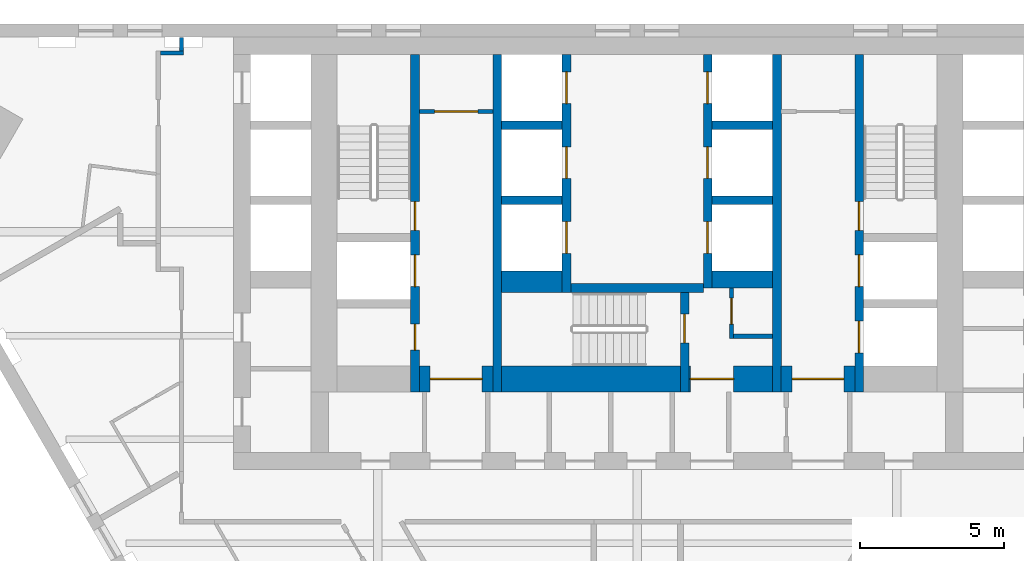
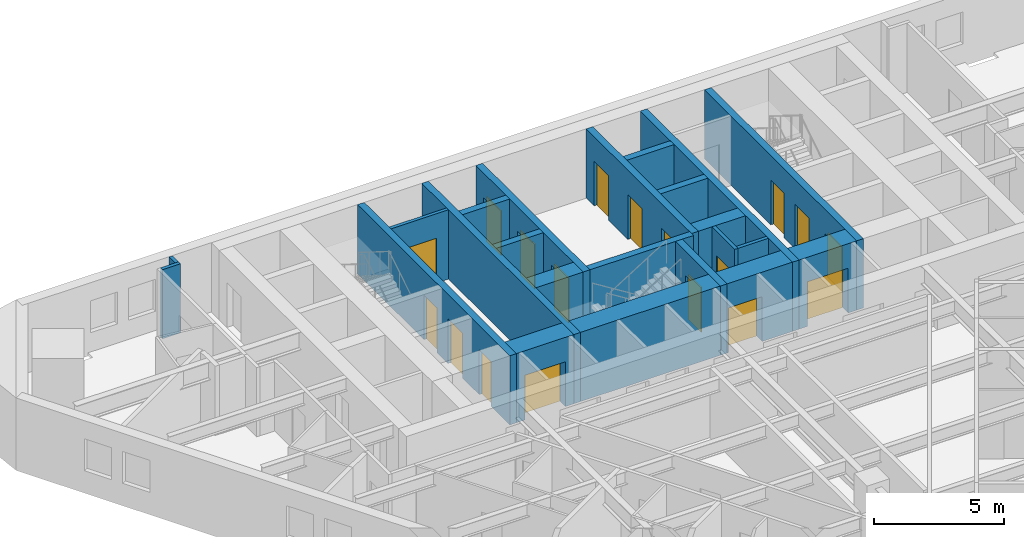
# One storey, part 6 of 10: 23 walls, 18 doors, 18 openings.
"""IFC4 building model written with IfcOpenShell, lengths in metres."""

from ifc_helpers import new_model, si_unit, direction, frame, frame_2d, origin, place, context, subcontext, project, spatial, rectangle, extrude, material, layer, layer_set, type_object, element, fill, save


model = new_model("IFC4")

# Units and contexts
model_context = context("Model", 3, precision=1e-05, world=origin(), true_north=direction((0.0, 1.0)))
body_context = subcontext(model_context, "Body", "Model", "MODEL_VIEW")
ifc_project = project(units=[si_unit("LENGTHUNIT", "METRE"), si_unit("AREAUNIT", "SQUARE_METRE"), si_unit("VOLUMEUNIT", "CUBIC_METRE"), si_unit("PLANEANGLEUNIT", "RADIAN"), si_unit("MASSUNIT", "GRAM", prefix="KILO")], contexts=[model_context])

# Site, building, storey
site_placement = place(None, origin())
site = spatial("IfcSite", under=ifc_project, at=site_placement, CompositionType="ELEMENT")
building_placement = place(site_placement, origin())
building = spatial("IfcBuilding", under=site, at=building_placement, Name="Aloe Facet Convention Tower", CompositionType="ELEMENT")
storey_placement = place(building_placement, frame((0.0, 0.0, 73.5)))
storey = spatial("IfcBuildingStorey", under=building, at=storey_placement, Name="L17", CompositionType="ELEMENT", Elevation=73.5)

# Wall, opening, door
ifc_material_1 = material(Name="Concrete blockwork partition", Category="masonry")
ifc_layer_1 = layer(ifc_material_1, 0.14990234375)
ifc_layer_set_1 = layer_set([ifc_layer_1], Name="CR-W-PART150")
wall_type_1 = type_object("IfcWallType", Name="CR-W-PART150", PredefinedType="PARTITIONING", material=ifc_layer_set_1)
wall_1_placement = place(storey_placement, frame((72.449951171875, 131.97509765625, 0.0), z_axis=(0.0, 0.0, 1.0), x_axis=(1.0, 0.0, 0.0)))
wall_1 = element("IfcWall", 1, at=wall_1_placement, inside=storey, type_object=wall_type_1, Name="Core partition L17-014", PredefinedType="PARTITIONING", context=body_context, shape_type="SweptSolid", body=[
    extrude(rectangle(XDim=2.550048828125, YDim=0.14990234375, at=frame_2d((1.27490234375, 0.0))), origin(), (0.0, 0.0, 1.0), 3.25),
])
opening_1_placement = place(wall_1_placement, frame((0.52490234375, 0.0, 0.0)))
opening_1 = element("IfcOpeningElement", 2, at=opening_1_placement, cuts=wall_1, Name="Opening L17-CD22", PredefinedType="OPENING", context=body_context, shape_type="SweptSolid", body=[
    extrude(rectangle(XDim=1.5, YDim=2.10009765625, at=frame_2d((0.75, 1.050048828125))), frame((0.0, 0.0849609375, 0.0), z_axis=(0.0, -1.0, 0.0), x_axis=(1.0, 0.0, 0.0)), (0.0, 0.0, 1.0), 0.169921875),
])
ifc_material_2 = material(Name="Steel fire-resisting door set FD60", Category="steel")
door_type_1 = type_object("IfcDoorType", Name="CR-D-REFUGE-1500-FD60-DD", OperationType="DOUBLE_DOOR_DOUBLE_SWING", PredefinedType="DOOR", material=ifc_material_2)
door_1_placement = place(opening_1_placement, origin())
door_1 = element("IfcDoor", 3, at=door_1_placement, inside=storey, type_object=door_type_1, Name="Core door L17-CD22", OperationType="DOUBLE_DOOR_DOUBLE_SWING", OverallHeight=2.10009765625, OverallWidth=1.5, PredefinedType="DOOR", context=body_context, shape_type="SweptSolid", body=[
    extrude(rectangle(XDim=1.5, YDim=2.10009765625, at=frame_2d((0.75, 1.050048828125))), frame((0.0, 0.02490234375, 0.0), z_axis=(0.0, -1.0, 0.0), x_axis=(1.0, 0.0, 0.0)), (0.0, 0.0, 1.0), 0.050048828125),
])
fill(opening_1, door_1)

wall_2_placement = place(storey_placement, frame((83.27490234375, 125.85009765625, 0.0), z_axis=(0.0, 0.0, 1.0), x_axis=(0.0, -1.0, 0.0)))
wall_2 = element("IfcWall", 4, at=wall_2_placement, inside=storey, type_object=wall_type_1, Name="Core partition L17-035", PredefinedType="PARTITIONING", context=body_context, shape_type="SweptSolid", body=[
    extrude(rectangle(XDim=1.75, YDim=0.14990234375, at=frame_2d((0.875, 0.0))), origin(), (0.0, 0.0, 1.0), 3.25),
])
opening_2_placement = place(wall_2_placement, frame((0.35009765625, 0.0, 0.0)))
opening_2 = element("IfcOpeningElement", 5, at=opening_2_placement, cuts=wall_2, Name="Opening L17-CD20", PredefinedType="OPENING", context=body_context, shape_type="SweptSolid", body=[
    extrude(rectangle(XDim=0.89990234375, YDim=2.10009765625, at=frame_2d((0.449951171875, 1.050048828125))), frame((0.0, 0.0849609375, 0.0), z_axis=(0.0, -1.0, 0.0), x_axis=(1.0, 0.0, 0.0)), (0.0, 0.0, 1.0), 0.169921875),
])
ifc_material_3 = material(Name="Steel fire-resisting door set FD60", Category="steel")
door_type_2 = type_object("IfcDoorType", Name="CR-D-REFUGE-900-FD60-SRIGHT", OperationType="SINGLE_SWING_RIGHT", PredefinedType="DOOR", material=ifc_material_3)
door_2_placement = place(opening_2_placement, origin())
door_2 = element("IfcDoor", 6, at=door_2_placement, inside=storey, type_object=door_type_2, Name="Core door L17-CD20", OperationType="SINGLE_SWING_RIGHT", OverallHeight=2.10009765625, OverallWidth=0.89990234375, PredefinedType="DOOR", context=body_context, shape_type="SweptSolid", body=[
    extrude(rectangle(XDim=0.89990234375, YDim=2.10009765625, at=frame_2d((0.449951171875, 1.050048828125))), frame((0.0, 0.02490234375, 0.0), z_axis=(0.0, -1.0, 0.0), x_axis=(1.0, 0.0, 0.0)), (0.0, 0.0, 1.0), 0.050048828125),
])
fill(opening_2, door_2)

# Wall
wall_3_placement = place(storey_placement, frame((83.35009765625, 124.175048828125, 0.0), z_axis=(0.0, 0.0, 1.0), x_axis=(1.0, 0.0, 0.0)))
element("IfcWall", 7, at=wall_3_placement, inside=storey, type_object=wall_type_1, Name="Core partition L17-036", PredefinedType="PARTITIONING", context=body_context, shape_type="SweptSolid", body=[
    extrude(rectangle(XDim=1.349853515625, YDim=0.14990234375, at=frame_2d((0.6748046875, 0.0))), origin(), (0.0, 0.0, 1.0), 3.25),
])

# Wall, openings, doors
ifc_material_4 = material(Name="Concrete C80/95", Category="concrete")
ifc_layer_2 = layer(ifc_material_4, 0.300048828125)
ifc_layer_set_2 = layer_set([ifc_layer_2], Name="CR-W-RC300-C8095")
wall_type_2 = type_object("IfcWallType", Name="CR-W-RC300-C8095", PredefinedType="SOLIDWALL", material=ifc_layer_set_2)
wall_4_placement = place(storey_placement, frame((72.300048828125, 133.949951171875, 0.0), z_axis=(0.0, 0.0, 1.0), x_axis=(0.0, -1.0, 0.0)))
wall_4 = element("IfcWall", 8, at=wall_4_placement, inside=storey, type_object=wall_type_2, Name="Core wall L17-013", PredefinedType="SOLIDWALL", context=body_context, shape_type="SweptSolid", body=[
    extrude(rectangle(XDim=11.699951171875, YDim=0.300048828125, at=frame_2d((5.85009765625, 0.0))), origin(), (0.0, 0.0, 1.0), 3.25),
])
opening_3_placement = place(wall_4_placement, frame((6.949951171875, 0.0, 0.0)))
opening_3 = element("IfcOpeningElement", 9, at=opening_3_placement, cuts=wall_4, Name="Opening LD-FF1-L17", PredefinedType="OPENING", context=body_context, shape_type="SweptSolid", body=[
    extrude(rectangle(XDim=1.10009765625, YDim=2.10009765625, at=frame_2d((0.550048828125, 1.050048828125))), frame((0.0, 0.16015625, 0.0), z_axis=(0.0, -1.0, 0.0), x_axis=(1.0, 0.0, 0.0)), (0.0, 0.0, 1.0), 0.320068359375),
])
opening_4_placement = place(wall_4_placement, frame((9.35009765625, 0.0, 0.0)))
opening_4 = element("IfcOpeningElement", 10, at=opening_4_placement, cuts=wall_4, Name="Opening L17-CD23", PredefinedType="OPENING", context=body_context, shape_type="SweptSolid", body=[
    extrude(rectangle(XDim=0.89990234375, YDim=2.10009765625, at=frame_2d((0.449951171875, 1.050048828125))), frame((0.0, 0.16015625, 0.0), z_axis=(0.0, -1.0, 0.0), x_axis=(1.0, 0.0, 0.0)), (0.0, 0.0, 1.0), 0.320068359375),
])
opening_5_placement = place(wall_4_placement, frame((5.10009765625, 0.0, 0.0)))
opening_5 = element("IfcOpeningElement", 11, at=opening_5_placement, cuts=wall_4, Name="Opening L17-CD30", PredefinedType="OPENING", context=body_context, shape_type="SweptSolid", body=[
    extrude(rectangle(XDim=1.0, YDim=2.10009765625, at=frame_2d((0.5, 1.050048828125))), frame((0.0, 0.16015625, 0.0), z_axis=(0.0, -1.0, 0.0), x_axis=(1.0, 0.0, 0.0)), (0.0, 0.0, 1.0), 0.320068359375),
])
ifc_material_5 = material(Name="Steel fire-resisting door set FD60", Category="steel")
door_type_3 = type_object("IfcDoorType", Name="CR-D-ROOM-900-FD60-SLEFT", OperationType="SINGLE_SWING_LEFT", PredefinedType="DOOR", material=ifc_material_5)
door_3_placement = place(opening_4_placement, origin())
door_3 = element("IfcDoor", 12, at=door_3_placement, inside=storey, type_object=door_type_3, Name="Core door L17-CD23", OperationType="SINGLE_SWING_LEFT", OverallHeight=2.10009765625, OverallWidth=0.89990234375, PredefinedType="DOOR", context=body_context, shape_type="SweptSolid", body=[
    extrude(rectangle(XDim=0.89990234375, YDim=2.10009765625, at=frame_2d((0.449951171875, 1.050048828125))), frame((0.0, 0.02490234375, 0.0), z_axis=(0.0, -1.0, 0.0), x_axis=(1.0, 0.0, 0.0)), (0.0, 0.0, 1.0), 0.050048828125),
])
fill(opening_4, door_3)
ifc_material_6 = material(Name="Steel fire-resisting door set FD120", Category="steel")
door_type_4 = type_object("IfcDoorType", Name="CR-D-STAIR-1000-FD120-SRIGHT", OperationType="SINGLE_SWING_RIGHT", PredefinedType="DOOR", material=ifc_material_6)
door_4_placement = place(opening_5_placement, origin())
door_4 = element("IfcDoor", 13, at=door_4_placement, inside=storey, type_object=door_type_4, Name="Core door L17-CD30", OperationType="SINGLE_SWING_RIGHT", OverallHeight=2.10009765625, OverallWidth=1.0, PredefinedType="DOOR", context=body_context, shape_type="SweptSolid", body=[
    extrude(rectangle(XDim=1.0, YDim=2.10009765625, at=frame_2d((0.5, 1.050048828125))), frame((0.0, 0.02490234375, 0.0), z_axis=(0.0, -1.0, 0.0), x_axis=(1.0, 0.0, 0.0)), (0.0, 0.0, 1.0), 0.050048828125),
])
fill(opening_5, door_4)
ifc_material_7 = material(Name="Stainless steel sliding landing door", Category="steel")
door_type_5 = type_object("IfcDoorType", Name="CR-LD-1100-FD120-_LEFT", OperationType="SLIDING_TO_LEFT", PredefinedType="DOOR", material=ifc_material_7)
door_5_placement = place(opening_3_placement, origin())
door_5 = element("IfcDoor", 14, at=door_5_placement, inside=storey, type_object=door_type_5, Name="Landing door FF1 L17", OperationType="SLIDING_TO_LEFT", OverallHeight=2.10009765625, OverallWidth=1.10009765625, PredefinedType="DOOR", context=body_context, shape_type="SweptSolid", body=[
    extrude(rectangle(XDim=1.10009765625, YDim=2.10009765625, at=frame_2d((0.550048828125, 1.050048828125))), frame((0.0, 0.02490234375, 0.0), z_axis=(0.0, -1.0, 0.0), x_axis=(1.0, 0.0, 0.0)), (0.0, 0.0, 1.0), 0.050048828125),
])
fill(opening_3, door_5)

# Walls
wall_5_placement = place(storey_placement, frame((75.14990234375, 133.949951171875, 0.0), z_axis=(0.0, 0.0, 1.0), x_axis=(0.0, -1.0, 0.0)))
element("IfcWall", 15, at=wall_5_placement, inside=storey, type_object=wall_type_2, Name="Core wall L17-018", PredefinedType="SOLIDWALL", context=body_context, shape_type="SweptSolid", body=[
    extrude(rectangle(XDim=11.699951171875, YDim=0.300048828125, at=frame_2d((5.85009765625, 0.0))), origin(), (0.0, 0.0, 1.0), 3.25),
])
for number, where, z_axis, x_axis, name in (
    (16, (75.300048828125, 131.5, 0.0), (0.0, 0.0, 1.0), (1.0, 0.0, 0.0), "Core wall L17-019"),
    (17, (75.300048828125, 128.89990234375, 0.0), (0.0, 0.0, 1.0), (1.0, 0.0, 0.0), "Core wall L17-020"),
):
    element("IfcWall", number, at=place(storey_placement, frame(where, z_axis=z_axis, x_axis=x_axis)), inside=storey, type_object=wall_type_2, Name=name, PredefinedType="SOLIDWALL", context=body_context, shape_type="SweptSolid", body=[
        extrude(rectangle(XDim=2.099853515625, YDim=0.300048828125, at=frame_2d((1.0498046875, 0.0))), origin(), (0.0, 0.0, 1.0), 3.25),
    ])

# Wall, openings, doors
wall_6_placement = place(storey_placement, frame((77.550048828125, 133.949951171875, 0.0), z_axis=(0.0, 0.0, 1.0), x_axis=(0.0, -1.0, 0.0)))
wall_6 = element("IfcWall", 18, at=wall_6_placement, inside=storey, type_object=wall_type_2, Name="Core wall L17-024", PredefinedType="SOLIDWALL", context=body_context, shape_type="SweptSolid", body=[
    extrude(rectangle(XDim=8.25, YDim=0.300048828125, at=frame_2d((4.125, 0.0))), origin(), (0.0, 0.0, 1.0), 3.25),
])
opening_6_placement = place(wall_6_placement, frame((0.60009765625, 0.0, 0.0)))
opening_6 = element("IfcOpeningElement", 19, at=opening_6_placement, cuts=wall_6, Name="Opening LD-A1-L17", PredefinedType="OPENING", context=body_context, shape_type="SweptSolid", body=[
    extrude(rectangle(XDim=1.10009765625, YDim=2.10009765625, at=frame_2d((0.550048828125, 1.050048828125))), frame((0.0, 0.16015625, 0.0), z_axis=(0.0, -1.0, 0.0), x_axis=(1.0, 0.0, 0.0)), (0.0, 0.0, 1.0), 0.320068359375),
])
opening_7_placement = place(wall_6_placement, frame((3.199951171875, 0.0, 0.0)))
opening_7 = element("IfcOpeningElement", 20, at=opening_7_placement, cuts=wall_6, Name="Opening LD-A2-L17", PredefinedType="OPENING", context=body_context, shape_type="SweptSolid", body=[
    extrude(rectangle(XDim=1.10009765625, YDim=2.10009765625, at=frame_2d((0.550048828125, 1.050048828125))), frame((0.0, 0.16015625, 0.0), z_axis=(0.0, -1.0, 0.0), x_axis=(1.0, 0.0, 0.0)), (0.0, 0.0, 1.0), 0.320068359375),
])
opening_8_placement = place(wall_6_placement, frame((5.800048828125, 0.0, 0.0)))
opening_8 = element("IfcOpeningElement", 21, at=opening_8_placement, cuts=wall_6, Name="Opening LD-A3-L17", PredefinedType="OPENING", context=body_context, shape_type="SweptSolid", body=[
    extrude(rectangle(XDim=1.10009765625, YDim=2.10009765625, at=frame_2d((0.550048828125, 1.050048828125))), frame((0.0, 0.16015625, 0.0), z_axis=(0.0, -1.0, 0.0), x_axis=(1.0, 0.0, 0.0)), (0.0, 0.0, 1.0), 0.320068359375),
])
ifc_material_8 = material(Name="Stainless steel sliding landing door", Category="steel")
door_type_6 = type_object("IfcDoorType", Name="CR-LD-1100-FD60-RIGHT", OperationType="SLIDING_TO_RIGHT", PredefinedType="DOOR", material=ifc_material_8)
door_6_placement = place(opening_6_placement, origin())
door_6 = element("IfcDoor", 22, at=door_6_placement, inside=storey, type_object=door_type_6, Name="Landing door A1 L17", OperationType="SLIDING_TO_RIGHT", OverallHeight=2.10009765625, OverallWidth=1.10009765625, PredefinedType="DOOR", context=body_context, shape_type="SweptSolid", body=[
    extrude(rectangle(XDim=1.10009765625, YDim=2.10009765625, at=frame_2d((0.550048828125, 1.050048828125))), frame((0.0, 0.02490234375, 0.0), z_axis=(0.0, -1.0, 0.0), x_axis=(1.0, 0.0, 0.0)), (0.0, 0.0, 1.0), 0.050048828125),
])
fill(opening_6, door_6)
door_7_placement = place(opening_7_placement, origin())
door_7 = element("IfcDoor", 23, at=door_7_placement, inside=storey, type_object=door_type_6, Name="Landing door A2 L17", OperationType="SLIDING_TO_RIGHT", OverallHeight=2.10009765625, OverallWidth=1.10009765625, PredefinedType="DOOR", context=body_context, shape_type="SweptSolid", body=[
    extrude(rectangle(XDim=1.10009765625, YDim=2.10009765625, at=frame_2d((0.550048828125, 1.050048828125))), frame((0.0, 0.02490234375, 0.0), z_axis=(0.0, -1.0, 0.0), x_axis=(1.0, 0.0, 0.0)), (0.0, 0.0, 1.0), 0.050048828125),
])
fill(opening_7, door_7)
door_8_placement = place(opening_8_placement, origin())
door_8 = element("IfcDoor", 24, at=door_8_placement, inside=storey, type_object=door_type_6, Name="Landing door A3 L17", OperationType="SLIDING_TO_RIGHT", OverallHeight=2.10009765625, OverallWidth=1.10009765625, PredefinedType="DOOR", context=body_context, shape_type="SweptSolid", body=[
    extrude(rectangle(XDim=1.10009765625, YDim=2.10009765625, at=frame_2d((0.550048828125, 1.050048828125))), frame((0.0, 0.02490234375, 0.0), z_axis=(0.0, -1.0, 0.0), x_axis=(1.0, 0.0, 0.0)), (0.0, 0.0, 1.0), 0.050048828125),
])
fill(opening_8, door_8)

# Wall
wall_7_placement = place(storey_placement, frame((77.699951171875, 125.85009765625, 0.0), z_axis=(0.0, 0.0, 1.0), x_axis=(1.0, 0.0, 0.0)))
element("IfcWall", 25, at=wall_7_placement, inside=storey, type_object=wall_type_2, Name="Core wall L17-025", PredefinedType="SOLIDWALL", context=body_context, shape_type="SweptSolid", body=[
    extrude(rectangle(XDim=4.60009765625, YDim=0.300048828125, at=frame_2d((2.300048828125, 0.0))), origin(), (0.0, 0.0, 1.0), 3.25),
])

# Wall, opening, door
wall_8_placement = place(storey_placement, frame((81.64990234375, 125.699951171875, 0.0), z_axis=(0.0, 0.0, 1.0), x_axis=(0.0, -1.0, 0.0)))
wall_8 = element("IfcWall", 26, at=wall_8_placement, inside=storey, type_object=wall_type_2, Name="Core wall L17-028", PredefinedType="SOLIDWALL", context=body_context, shape_type="SweptSolid", body=[
    extrude(rectangle(XDim=3.449951171875, YDim=0.300048828125, at=frame_2d((1.72509765625, 0.0))), origin(), (0.0, 0.0, 1.0), 3.25),
])
opening_9_placement = place(wall_8_placement, frame((0.75, 0.0, 0.0)))
opening_9 = element("IfcOpeningElement", 27, at=opening_9_placement, cuts=wall_8, Name="Opening L17-CD32", PredefinedType="OPENING", context=body_context, shape_type="SweptSolid", body=[
    extrude(rectangle(XDim=1.0, YDim=2.10009765625, at=frame_2d((0.5, 1.050048828125))), frame((0.0, 0.16015625, 0.0), z_axis=(0.0, -1.0, 0.0), x_axis=(1.0, 0.0, 0.0)), (0.0, 0.0, 1.0), 0.320068359375),
])
ifc_material_9 = material(Name="Steel fire-resisting door set FD120", Category="steel")
door_type_7 = type_object("IfcDoorType", Name="CR-D-STAIR-1000-FD120-SLEFT", OperationType="SINGLE_SWING_LEFT", PredefinedType="DOOR", material=ifc_material_9)
door_9_placement = place(opening_9_placement, origin())
door_9 = element("IfcDoor", 28, at=door_9_placement, inside=storey, type_object=door_type_7, Name="Core door L17-CD32", OperationType="SINGLE_SWING_LEFT", OverallHeight=2.10009765625, OverallWidth=1.0, PredefinedType="DOOR", context=body_context, shape_type="SweptSolid", body=[
    extrude(rectangle(XDim=1.0, YDim=2.10009765625, at=frame_2d((0.5, 1.050048828125))), frame((0.0, 0.02490234375, 0.0), z_axis=(0.0, -1.0, 0.0), x_axis=(1.0, 0.0, 0.0)), (0.0, 0.0, 1.0), 0.050048828125),
])
fill(opening_9, door_9)

# Wall, openings, doors
wall_9_placement = place(storey_placement, frame((82.449951171875, 133.949951171875, 0.0), z_axis=(0.0, 0.0, 1.0), x_axis=(0.0, -1.0, 0.0)))
wall_9 = element("IfcWall", 29, at=wall_9_placement, inside=storey, type_object=wall_type_2, Name="Core wall L17-030", PredefinedType="SOLIDWALL", context=body_context, shape_type="SweptSolid", body=[
    extrude(rectangle(XDim=8.099853515625, YDim=0.300048828125, at=frame_2d((4.0498046875, 0.0))), origin(), (0.0, 0.0, 1.0), 3.25),
])
opening_10_placement = place(wall_9_placement, frame((0.60009765625, 0.0, 0.0)))
opening_10 = element("IfcOpeningElement", 30, at=opening_10_placement, cuts=wall_9, Name="Opening LD-A4-L17", PredefinedType="OPENING", context=body_context, shape_type="SweptSolid", body=[
    extrude(rectangle(XDim=1.10009765625, YDim=2.10009765625, at=frame_2d((0.550048828125, 1.050048828125))), frame((0.0, 0.16015625, 0.0), z_axis=(0.0, -1.0, 0.0), x_axis=(1.0, 0.0, 0.0)), (0.0, 0.0, 1.0), 0.320068359375),
])
opening_11_placement = place(wall_9_placement, frame((3.199951171875, 0.0, 0.0)))
opening_11 = element("IfcOpeningElement", 31, at=opening_11_placement, cuts=wall_9, Name="Opening LD-A5-L17", PredefinedType="OPENING", context=body_context, shape_type="SweptSolid", body=[
    extrude(rectangle(XDim=1.10009765625, YDim=2.10009765625, at=frame_2d((0.550048828125, 1.050048828125))), frame((0.0, 0.16015625, 0.0), z_axis=(0.0, -1.0, 0.0), x_axis=(1.0, 0.0, 0.0)), (0.0, 0.0, 1.0), 0.320068359375),
])
opening_12_placement = place(wall_9_placement, frame((5.800048828125, 0.0, 0.0)))
opening_12 = element("IfcOpeningElement", 32, at=opening_12_placement, cuts=wall_9, Name="Opening LD-A6-L17", PredefinedType="OPENING", context=body_context, shape_type="SweptSolid", body=[
    extrude(rectangle(XDim=1.10009765625, YDim=2.10009765625, at=frame_2d((0.550048828125, 1.050048828125))), frame((0.0, 0.16015625, 0.0), z_axis=(0.0, -1.0, 0.0), x_axis=(1.0, 0.0, 0.0)), (0.0, 0.0, 1.0), 0.320068359375),
])
ifc_material_10 = material(Name="Stainless steel sliding landing door", Category="steel")
door_type_8 = type_object("IfcDoorType", Name="CR-LD-1100-FD60-_LEFT", OperationType="SLIDING_TO_LEFT", PredefinedType="DOOR", material=ifc_material_10)
door_10_placement = place(opening_10_placement, origin())
door_10 = element("IfcDoor", 33, at=door_10_placement, inside=storey, type_object=door_type_8, Name="Landing door A4 L17", OperationType="SLIDING_TO_LEFT", OverallHeight=2.10009765625, OverallWidth=1.10009765625, PredefinedType="DOOR", context=body_context, shape_type="SweptSolid", body=[
    extrude(rectangle(XDim=1.10009765625, YDim=2.10009765625, at=frame_2d((0.550048828125, 1.050048828125))), frame((0.0, 0.02490234375, 0.0), z_axis=(0.0, -1.0, 0.0), x_axis=(1.0, 0.0, 0.0)), (0.0, 0.0, 1.0), 0.050048828125),
])
fill(opening_10, door_10)
door_11_placement = place(opening_11_placement, origin())
door_11 = element("IfcDoor", 34, at=door_11_placement, inside=storey, type_object=door_type_8, Name="Landing door A5 L17", OperationType="SLIDING_TO_LEFT", OverallHeight=2.10009765625, OverallWidth=1.10009765625, PredefinedType="DOOR", context=body_context, shape_type="SweptSolid", body=[
    extrude(rectangle(XDim=1.10009765625, YDim=2.10009765625, at=frame_2d((0.550048828125, 1.050048828125))), frame((0.0, 0.02490234375, 0.0), z_axis=(0.0, -1.0, 0.0), x_axis=(1.0, 0.0, 0.0)), (0.0, 0.0, 1.0), 0.050048828125),
])
fill(opening_11, door_11)
door_12_placement = place(opening_12_placement, origin())
door_12 = element("IfcDoor", 35, at=door_12_placement, inside=storey, type_object=door_type_8, Name="Landing door A6 L17", OperationType="SLIDING_TO_LEFT", OverallHeight=2.10009765625, OverallWidth=1.10009765625, PredefinedType="DOOR", context=body_context, shape_type="SweptSolid", body=[
    extrude(rectangle(XDim=1.10009765625, YDim=2.10009765625, at=frame_2d((0.550048828125, 1.050048828125))), frame((0.0, 0.02490234375, 0.0), z_axis=(0.0, -1.0, 0.0), x_axis=(1.0, 0.0, 0.0)), (0.0, 0.0, 1.0), 0.050048828125),
])
fill(opening_12, door_12)

# Walls
for number, where, z_axis, x_axis, name in (
    (36, (82.60009765625, 131.5, 0.0), (0.0, 0.0, 1.0), (1.0, 0.0, 0.0), "Core wall L17-031"),
    (37, (82.60009765625, 128.89990234375, 0.0), (0.0, 0.0, 1.0), (1.0, 0.0, 0.0), "Core wall L17-032"),
):
    element("IfcWall", number, at=place(storey_placement, frame(where, z_axis=z_axis, x_axis=x_axis)), inside=storey, type_object=wall_type_2, Name=name, PredefinedType="SOLIDWALL", context=body_context, shape_type="SweptSolid", body=[
        extrude(rectangle(XDim=2.099853515625, YDim=0.300048828125, at=frame_2d((1.0498046875, 0.0))), origin(), (0.0, 0.0, 1.0), 3.25),
    ])
wall_10_placement = place(storey_placement, frame((84.85009765625, 133.949951171875, 0.0), z_axis=(0.0, 0.0, 1.0), x_axis=(0.0, -1.0, 0.0)))
element("IfcWall", 38, at=wall_10_placement, inside=storey, type_object=wall_type_2, Name="Core wall L17-037", PredefinedType="SOLIDWALL", context=body_context, shape_type="SweptSolid", body=[
    extrude(rectangle(XDim=11.699951171875, YDim=0.300048828125, at=frame_2d((5.85009765625, 0.0))), origin(), (0.0, 0.0, 1.0), 3.25),
])

# Wall, openings, doors
wall_11_placement = place(storey_placement, frame((87.699951171875, 133.949951171875, 0.0), z_axis=(0.0, 0.0, 1.0), x_axis=(0.0, -1.0, 0.0)))
wall_11 = element("IfcWall", 39, at=wall_11_placement, inside=storey, type_object=wall_type_2, Name="Core wall L17-042", PredefinedType="SOLIDWALL", context=body_context, shape_type="SweptSolid", body=[
    extrude(rectangle(XDim=11.699951171875, YDim=0.300048828125, at=frame_2d((5.85009765625, 0.0))), origin(), (0.0, 0.0, 1.0), 3.25),
])
opening_13_placement = place(wall_11_placement, frame((6.949951171875, 0.0, 0.0)))
opening_13 = element("IfcOpeningElement", 40, at=opening_13_placement, cuts=wall_11, Name="Opening LD-FF2-L17", PredefinedType="OPENING", context=body_context, shape_type="SweptSolid", body=[
    extrude(rectangle(XDim=1.10009765625, YDim=2.10009765625, at=frame_2d((0.550048828125, 1.050048828125))), frame((0.0, 0.16015625, 0.0), z_axis=(0.0, -1.0, 0.0), x_axis=(1.0, 0.0, 0.0)), (0.0, 0.0, 1.0), 0.320068359375),
])
opening_14_placement = place(wall_11_placement, frame((5.10009765625, 0.0, 0.0)))
opening_14 = element("IfcOpeningElement", 41, at=opening_14_placement, cuts=wall_11, Name="Opening L17-CD31", PredefinedType="OPENING", context=body_context, shape_type="SweptSolid", body=[
    extrude(rectangle(XDim=1.0, YDim=2.10009765625, at=frame_2d((0.5, 1.050048828125))), frame((0.0, 0.16015625, 0.0), z_axis=(0.0, -1.0, 0.0), x_axis=(1.0, 0.0, 0.0)), (0.0, 0.0, 1.0), 0.320068359375),
])
opening_15_placement = place(wall_11_placement, frame((9.25, 0.0, 0.0)))
opening_15 = element("IfcOpeningElement", 42, at=opening_15_placement, cuts=wall_11, Name="Opening LD-SV1-L17", PredefinedType="OPENING", context=body_context, shape_type="SweptSolid", body=[
    extrude(rectangle(XDim=1.10009765625, YDim=2.10009765625, at=frame_2d((0.550048828125, 1.050048828125))), frame((0.0, 0.16015625, 0.0), z_axis=(0.0, -1.0, 0.0), x_axis=(1.0, 0.0, 0.0)), (0.0, 0.0, 1.0), 0.320068359375),
])
door_13_placement = place(opening_14_placement, origin())
door_13 = element("IfcDoor", 43, at=door_13_placement, inside=storey, type_object=door_type_7, Name="Core door L17-CD31", OperationType="SINGLE_SWING_LEFT", OverallHeight=2.10009765625, OverallWidth=1.0, PredefinedType="DOOR", context=body_context, shape_type="SweptSolid", body=[
    extrude(rectangle(XDim=1.0, YDim=2.10009765625, at=frame_2d((0.5, 1.050048828125))), frame((0.0, 0.02490234375, 0.0), z_axis=(0.0, -1.0, 0.0), x_axis=(1.0, 0.0, 0.0)), (0.0, 0.0, 1.0), 0.050048828125),
])
fill(opening_14, door_13)
door_14_placement = place(opening_13_placement, origin())
door_14 = element("IfcDoor", 44, at=door_14_placement, inside=storey, type_object=door_type_5, Name="Landing door FF2 L17", OperationType="SLIDING_TO_LEFT", OverallHeight=2.10009765625, OverallWidth=1.10009765625, PredefinedType="DOOR", context=body_context, shape_type="SweptSolid", body=[
    extrude(rectangle(XDim=1.10009765625, YDim=2.10009765625, at=frame_2d((0.550048828125, 1.050048828125))), frame((0.0, 0.02490234375, 0.0), z_axis=(0.0, -1.0, 0.0), x_axis=(1.0, 0.0, 0.0)), (0.0, 0.0, 1.0), 0.050048828125),
])
fill(opening_13, door_14)
door_15_placement = place(opening_15_placement, origin())
door_15 = element("IfcDoor", 45, at=door_15_placement, inside=storey, type_object=door_type_5, Name="Landing door SV1 L17", OperationType="SLIDING_TO_LEFT", OverallHeight=2.10009765625, OverallWidth=1.10009765625, PredefinedType="DOOR", context=body_context, shape_type="SweptSolid", body=[
    extrude(rectangle(XDim=1.10009765625, YDim=2.10009765625, at=frame_2d((0.550048828125, 1.050048828125))), frame((0.0, 0.02490234375, 0.0), z_axis=(0.0, -1.0, 0.0), x_axis=(1.0, 0.0, 0.0)), (0.0, 0.0, 1.0), 0.050048828125),
])
fill(opening_15, door_15)

# Walls
ifc_material_11 = material(Name="Concrete C80/95", Category="concrete")
ifc_layer_3 = layer(ifc_material_11, 0.60009765625)
ifc_layer_set_3 = layer_set([ifc_layer_3], Name="CR-W-RC600-C8095")
wall_type_3 = type_object("IfcWallType", Name="CR-W-RC600-C8095", PredefinedType="SOLIDWALL", material=ifc_layer_set_3)
wall_12_placement = place(storey_placement, frame((82.60009765625, 126.14990234375, 0.0), z_axis=(0.0, 0.0, 1.0), x_axis=(1.0, 0.0, 0.0)))
element("IfcWall", 46, at=wall_12_placement, inside=storey, type_object=wall_type_3, Name="Core wall L17-033", PredefinedType="SOLIDWALL", context=body_context, shape_type="SweptSolid", body=[
    extrude(rectangle(XDim=2.099853515625, YDim=0.60009765625, at=frame_2d((1.0498046875, 0.0))), origin(), (0.0, 0.0, 1.0), 3.25),
])
ifc_material_12 = material(Name="Concrete C80/95", Category="concrete")
ifc_layer_4 = layer(ifc_material_12, 0.75)
ifc_layer_set_4 = layer_set([ifc_layer_4], Name="CR-W-RC750-C8095")
wall_type_4 = type_object("IfcWallType", Name="CR-W-RC750-C8095", PredefinedType="SOLIDWALL", material=ifc_layer_set_4)
wall_13_placement = place(storey_placement, frame((75.300048828125, 126.074951171875, 0.0), z_axis=(0.0, 0.0, 1.0), x_axis=(1.0, 0.0, 0.0)))
element("IfcWall", 47, at=wall_13_placement, inside=storey, type_object=wall_type_4, Name="Core wall L17-021", PredefinedType="SOLIDWALL", context=body_context, shape_type="SweptSolid", body=[
    extrude(rectangle(XDim=2.099853515625, YDim=0.75, at=frame_2d((1.0498046875, 0.0))), origin(), (0.0, 0.0, 1.0), 3.25),
])

# Wall, opening, door
ifc_material_13 = material(Name="Concrete C80/95", Category="concrete")
ifc_layer_5 = layer(ifc_material_13, 0.89990234375)
ifc_layer_set_5 = layer_set([ifc_layer_5], Name="CR-W-RC900-C8095")
wall_type_5 = type_object("IfcWallType", Name="CR-W-RC900-C8095", PredefinedType="SOLIDWALL", material=ifc_layer_set_5)
wall_14_placement = place(storey_placement, frame((72.449951171875, 122.699951171875, 0.0), z_axis=(0.0, 0.0, 1.0), x_axis=(1.0, 0.0, 0.0)))
wall_14 = element("IfcWall", 48, at=wall_14_placement, inside=storey, type_object=wall_type_5, Name="Core wall L17-015", PredefinedType="SOLIDWALL", context=body_context, shape_type="SweptSolid", body=[
    extrude(rectangle(XDim=2.550048828125, YDim=0.89990234375, at=frame_2d((1.27490234375, 0.0))), origin(), (0.0, 0.0, 1.0), 3.25),
])
opening_16_placement = place(wall_14_placement, frame((0.375, 0.0, 0.0)))
opening_16 = element("IfcOpeningElement", 49, at=opening_16_placement, cuts=wall_14, Name="Opening L17-CD15", PredefinedType="OPENING", context=body_context, shape_type="SweptSolid", body=[
    extrude(rectangle(XDim=1.800048828125, YDim=2.10009765625, at=frame_2d((0.89990234375, 1.050048828125))), frame((0.0, 0.4599609375, 0.0), z_axis=(0.0, -1.0, 0.0), x_axis=(1.0, 0.0, 0.0)), (0.0, 0.0, 1.0), 0.919921875),
])
ifc_material_14 = material(Name="Steel fire-resisting door set FD120", Category="steel")
door_type_9 = type_object("IfcDoorType", Name="CR-D-EXIT-1800-FD120-DD", OperationType="DOUBLE_DOOR_DOUBLE_SWING", PredefinedType="DOOR", material=ifc_material_14)
door_16_placement = place(opening_16_placement, origin())
door_16 = element("IfcDoor", 50, at=door_16_placement, inside=storey, type_object=door_type_9, Name="Core door L17-CD15", OperationType="DOUBLE_DOOR_DOUBLE_SWING", OverallHeight=2.10009765625, OverallWidth=1.800048828125, PredefinedType="DOOR", context=body_context, shape_type="SweptSolid", body=[
    extrude(rectangle(XDim=1.800048828125, YDim=2.10009765625, at=frame_2d((0.89990234375, 1.050048828125))), frame((0.0, 0.02490234375, 0.0), z_axis=(0.0, -1.0, 0.0), x_axis=(1.0, 0.0, 0.0)), (0.0, 0.0, 1.0), 0.050048828125),
])
fill(opening_16, door_16)

# Wall
wall_15_placement = place(storey_placement, frame((75.300048828125, 122.699951171875, 0.0), z_axis=(0.0, 0.0, 1.0), x_axis=(1.0, 0.0, 0.0)))
element("IfcWall", 51, at=wall_15_placement, inside=storey, type_object=wall_type_5, Name="Core wall L17-022", PredefinedType="SOLIDWALL", context=body_context, shape_type="SweptSolid", body=[
    extrude(rectangle(XDim=6.199951171875, YDim=0.89990234375, at=frame_2d((3.10009765625, 0.0))), origin(), (0.0, 0.0, 1.0), 3.25),
])

# Wall, opening, door
wall_16_placement = place(storey_placement, frame((81.800048828125, 122.699951171875, 0.0), z_axis=(0.0, 0.0, 1.0), x_axis=(1.0, 0.0, 0.0)))
wall_16 = element("IfcWall", 52, at=wall_16_placement, inside=storey, type_object=wall_type_5, Name="Core wall L17-029", PredefinedType="SOLIDWALL", context=body_context, shape_type="SweptSolid", body=[
    extrude(rectangle(XDim=2.89990234375, YDim=0.89990234375, at=frame_2d((1.449951171875, 0.0))), origin(), (0.0, 0.0, 1.0), 3.25),
])
opening_17_placement = place(wall_16_placement, frame((0.050048828125, 0.0, 0.0)))
opening_17 = element("IfcOpeningElement", 53, at=opening_17_placement, cuts=wall_16, Name="Opening L17-CD16", PredefinedType="OPENING", context=body_context, shape_type="SweptSolid", body=[
    extrude(rectangle(XDim=1.5, YDim=2.10009765625, at=frame_2d((0.75, 1.050048828125))), frame((0.0, 0.4599609375, 0.0), z_axis=(0.0, -1.0, 0.0), x_axis=(1.0, 0.0, 0.0)), (0.0, 0.0, 1.0), 0.919921875),
])
ifc_material_15 = material(Name="Steel fire-resisting door set FD60", Category="steel")
door_type_10 = type_object("IfcDoorType", Name="CR-D-EXIT-1500-FD60-DD", OperationType="DOUBLE_DOOR_DOUBLE_SWING", PredefinedType="DOOR", material=ifc_material_15)
door_17_placement = place(opening_17_placement, origin())
door_17 = element("IfcDoor", 54, at=door_17_placement, inside=storey, type_object=door_type_10, Name="Core door L17-CD16", OperationType="DOUBLE_DOOR_DOUBLE_SWING", OverallHeight=2.10009765625, OverallWidth=1.5, PredefinedType="DOOR", context=body_context, shape_type="SweptSolid", body=[
    extrude(rectangle(XDim=1.5, YDim=2.10009765625, at=frame_2d((0.75, 1.050048828125))), frame((0.0, 0.02490234375, 0.0), z_axis=(0.0, -1.0, 0.0), x_axis=(1.0, 0.0, 0.0)), (0.0, 0.0, 1.0), 0.050048828125),
])
fill(opening_17, door_17)

wall_17_placement = place(storey_placement, frame((85.0, 122.699951171875, 0.0), z_axis=(0.0, 0.0, 1.0), x_axis=(1.0, 0.0, 0.0)))
wall_17 = element("IfcWall", 55, at=wall_17_placement, inside=storey, type_object=wall_type_5, Name="Core wall L17-039", PredefinedType="SOLIDWALL", context=body_context, shape_type="SweptSolid", body=[
    extrude(rectangle(XDim=2.550048828125, YDim=0.89990234375, at=frame_2d((1.27490234375, 0.0))), origin(), (0.0, 0.0, 1.0), 3.25),
])
opening_18_placement = place(wall_17_placement, frame((0.375, 0.0, 0.0)))
opening_18 = element("IfcOpeningElement", 56, at=opening_18_placement, cuts=wall_17, Name="Opening L17-CD14", PredefinedType="OPENING", context=body_context, shape_type="SweptSolid", body=[
    extrude(rectangle(XDim=1.800048828125, YDim=2.10009765625, at=frame_2d((0.89990234375, 1.050048828125))), frame((0.0, 0.4599609375, 0.0), z_axis=(0.0, -1.0, 0.0), x_axis=(1.0, 0.0, 0.0)), (0.0, 0.0, 1.0), 0.919921875),
])
door_18_placement = place(opening_18_placement, origin())
door_18 = element("IfcDoor", 57, at=door_18_placement, inside=storey, type_object=door_type_9, Name="Core door L17-CD14", OperationType="DOUBLE_DOOR_DOUBLE_SWING", OverallHeight=2.10009765625, OverallWidth=1.800048828125, PredefinedType="DOOR", context=body_context, shape_type="SweptSolid", body=[
    extrude(rectangle(XDim=1.800048828125, YDim=2.10009765625, at=frame_2d((0.89990234375, 1.050048828125))), frame((0.0, 0.02490234375, 0.0), z_axis=(0.0, -1.0, 0.0), x_axis=(1.0, 0.0, 0.0)), (0.0, 0.0, 1.0), 0.050048828125),
])
fill(opening_18, door_18)

# Walls
ifc_material_16 = material(Name="Gypsum board partition on steel studs", Category="steel")
ifc_layer_6 = layer(ifc_material_16, 0.14990234375)
ifc_layer_set_6 = layer_set([ifc_layer_6], Name="IN-W-CORR")
wall_type_6 = type_object("IfcWallType", Name="IN-W-CORR", PredefinedType="PARTITIONING", material=ifc_layer_set_6)
wall_18_placement = place(storey_placement, frame((63.47509765625, 133.99951171875, 0.0), z_axis=(0.0, 0.0, 1.0), x_axis=(0.999999813645, 0.000610500497, 0.0)))
element("IfcWall", 58, at=wall_18_placement, inside=storey, type_object=wall_type_6, Name="Partition L17-W119", PredefinedType="PARTITIONING", context=body_context, shape_type="SweptSolid", body=[
    extrude(rectangle(XDim=0.7998046875, YDim=0.14990234375, at=frame_2d((0.39990234375, 0.0))), origin(), (0.0, 0.0, 1.0), 3.25),
])
wall_19_placement = place(storey_placement, frame((64.199951171875, 134.074951171875, 0.0), z_axis=(0.0, 0.0, 1.0), x_axis=(0.0, 1.0, 0.0)))
element("IfcWall", 59, at=wall_19_placement, inside=storey, type_object=wall_type_6, Name="Partition L17-W120", PredefinedType="PARTITIONING", context=body_context, shape_type="SweptSolid", body=[
    extrude(rectangle(XDim=0.465087890625, YDim=0.14990234375, at=frame_2d((0.232421875, 0.0))), origin(), (0.0, 0.0, 1.0), 3.25),
])

save(model, "model.ifc")
